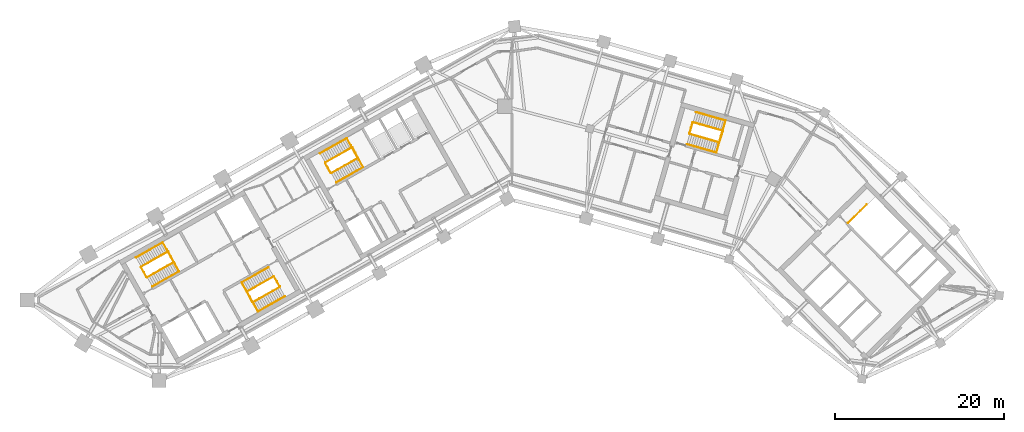
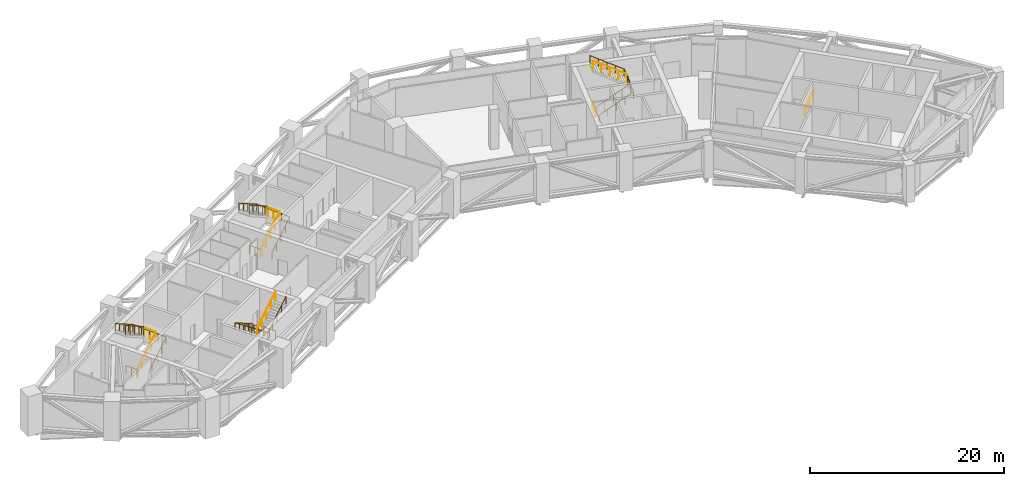
# One storey, part 15 of 16: 17 railings.
"""IFC4 building model written with IfcOpenShell, lengths in metres."""

from ifc_helpers import new_model, si_unit, direction, frame, origin, origin_2d, place, context, subcontext, project, spatial, circle, extrude, material, type_object, element, save


model = new_model("IFC4")

# Units and contexts
model_context = context("Model", 3, precision=1e-05, world=origin(), true_north=direction((0.0, 1.0)))
body_context = subcontext(model_context, "Body", "Model", "MODEL_VIEW")
ifc_project = project(units=[si_unit("LENGTHUNIT", "METRE"), si_unit("AREAUNIT", "SQUARE_METRE"), si_unit("VOLUMEUNIT", "CUBIC_METRE"), si_unit("PLANEANGLEUNIT", "RADIAN"), si_unit("MASSUNIT", "GRAM", prefix="KILO")], contexts=[model_context])

# Site, building, storey
site_placement = place(None, origin())
site = spatial("IfcSite", under=ifc_project, at=site_placement, CompositionType="ELEMENT")
building_placement = place(site_placement, origin())
building = spatial("IfcBuilding", under=site, at=building_placement, Name="Binnacle Exchange Tower", CompositionType="ELEMENT")
storey_placement = place(building_placement, frame((0.0, 0.0, 149.89990234375)))
storey = spatial("IfcBuildingStorey", under=building, at=storey_placement, Name="L31", CompositionType="ELEMENT", Elevation=149.89990234375)

# Railings
ifc_material_1 = material(Name="Steel guard rail", Category="steel")
railing_type_1 = type_object("IfcRailingType", Name="STAIR GUARD 1100", PredefinedType="GUARDRAIL", material=ifc_material_1)
railing_1_placement = place(storey_placement, frame((-43.26171875, 39.71728515625, 0.1787109375)))
element("IfcRailing", 1, at=railing_1_placement, inside=storey, type_object=railing_type_1, Name="L31 STA1 stair guard 1", PredefinedType="GUARDRAIL", context=body_context, shape_type="SweptSolid", body=[
    extrude(circle(Radius=0.02392578125, at=origin_2d()), frame((0.0, 0.0, 1.076171875), z_axis=(0.733817868035, 0.415204283841, 0.537695768286), x_axis=(-0.492450612189, 0.870340390052, 0.0)), (0.0, 0.0, 1.0), 4.317138671875),
    extrude(circle(Radius=0.02392578125, at=origin_2d()), frame((3.16796875, 1.79248046875, 3.3974609375), z_axis=(-0.460963092712, 0.887419307406, 0.0), x_axis=(-0.887419307406, -0.460963092712, 0.0)), (0.0, 0.0, 1.0), 1.40087890625),
    extrude(circle(Radius=0.02099609375, at=origin_2d()), origin(), (0.0, 0.0, 1.0), 1.052001953125),
    extrude(circle(Radius=0.02099609375, at=origin_2d()), frame((0.7919921875, 0.4482421875, 0.580322265625)), (0.0, 0.0, 1.0), 1.052001953125),
    extrude(circle(Radius=0.02099609375, at=origin_2d()), frame((1.583984375, 0.896240234375, 1.16064453125)), (0.0, 0.0, 1.0), 1.052001953125),
    extrude(circle(Radius=0.02099609375, at=origin_2d()), frame((2.3759765625, 1.34423828125, 1.740966796875)), (0.0, 0.0, 1.0), 1.052001953125),
    extrude(circle(Radius=0.02099609375, at=origin_2d()), frame((3.16796875, 1.79248046875, 2.3212890625)), (0.0, 0.0, 1.0), 1.052001953125),
    extrude(circle(Radius=0.02099609375, at=origin_2d()), frame((2.84521484375, 2.4140625, 2.3212890625)), (0.0, 0.0, 1.0), 1.052001953125),
    extrude(circle(Radius=0.02099609375, at=origin_2d()), frame((2.522216796875, 3.03564453125, 2.3212890625)), (0.0, 0.0, 1.0), 1.052001953125),
])
railing_2_placement = place(storey_placement, frame((-40.8076171875, 42.771728515625, 2.6787109375)))
element("IfcRailing", 2, at=railing_2_placement, inside=storey, type_object=railing_type_1, Name="L31 STA1 stair guard 2", PredefinedType="GUARDRAIL", context=body_context, shape_type="SweptSolid", body=[
    extrude(circle(Radius=0.02392578125, at=origin_2d()), frame((0.0, 0.0, 1.076171875), z_axis=(-0.733843965768, -0.415187053762, 0.537673455076), x_axis=(0.492421866095, -0.870356654361, 0.0)), (0.0, 0.0, 1.0), 4.3173828125),
    extrude(circle(Radius=0.02099609375, at=origin_2d()), origin(), (0.0, 0.0, 1.0), 1.052001953125),
    extrude(circle(Radius=0.02099609375, at=origin_2d()), frame((-0.7919921875, -0.4482421875, 0.580322265625)), (0.0, 0.0, 1.0), 1.052001953125),
    extrude(circle(Radius=0.02099609375, at=origin_2d()), frame((-1.583984375, -0.896240234375, 1.16064453125)), (0.0, 0.0, 1.0), 1.052001953125),
    extrude(circle(Radius=0.02099609375, at=origin_2d()), frame((-2.376220703125, -1.34423828125, 1.740966796875)), (0.0, 0.0, 1.0), 1.052001953125),
    extrude(circle(Radius=0.02099609375, at=origin_2d()), frame((-3.168212890625, -1.79248046875, 2.3212890625)), (0.0, 0.0, 1.0), 1.052001953125),
])
railing_3_placement = place(storey_placement, frame((-43.329833984375, 39.736328125, 0.0)))
element("IfcRailing", 3, at=railing_3_placement, inside=storey, type_object=railing_type_1, Name="L31 STA1 stair guard 3", PredefinedType="GUARDRAIL", context=body_context, shape_type="SweptSolid", body=[
    extrude(circle(Radius=0.02392578125, at=origin_2d()), frame((0.0, 0.0, 1.076171875), z_axis=(-0.4924922531, 0.870316827734, 0.0), x_axis=(-0.870316827734, -0.4924922531, 0.0)), (0.0, 0.0, 1.0), 1.349853515625),
    extrude(circle(Radius=0.02099609375, at=origin_2d()), origin(), (0.0, 0.0, 1.0), 1.052001953125),
    extrude(circle(Radius=0.02099609375, at=origin_2d()), frame((-0.33251953125, 0.58740234375, 0.0)), (0.0, 0.0, 1.0), 1.052001953125),
    extrude(circle(Radius=0.02099609375, at=origin_2d()), frame((-0.664794921875, 1.1748046875, 0.0)), (0.0, 0.0, 1.0), 1.052001953125),
])
railing_4_placement = place(storey_placement, frame((-28.265380859375, 39.814453125, 0.1787109375)))
element("IfcRailing", 4, at=railing_4_placement, inside=storey, type_object=railing_type_1, Name="L31 STA2 stair guard 1", PredefinedType="GUARDRAIL", context=body_context, shape_type="SweptSolid", body=[
    extrude(circle(Radius=0.02392578125, at=origin_2d()), frame((0.0, 0.0, 1.076171875), z_axis=(-0.733843965768, -0.415187053762, 0.537673455076), x_axis=(0.492421866095, -0.870356654361, 0.0)), (0.0, 0.0, 1.0), 4.3173828125),
    extrude(circle(Radius=0.02392578125, at=origin_2d()), frame((-3.168212890625, -1.79248046875, 3.3974609375), z_axis=(0.461100321709, -0.887348011391, 0.0), x_axis=(0.887348011391, 0.461100321709, 0.0)), (0.0, 0.0, 1.0), 1.40087890625),
    extrude(circle(Radius=0.02099609375, at=origin_2d()), origin(), (0.0, 0.0, 1.0), 1.052001953125),
    extrude(circle(Radius=0.02099609375, at=origin_2d()), frame((-0.7919921875, -0.4482421875, 0.580322265625)), (0.0, 0.0, 1.0), 1.052001953125),
    extrude(circle(Radius=0.02099609375, at=origin_2d()), frame((-1.583984375, -0.896240234375, 1.16064453125)), (0.0, 0.0, 1.0), 1.052001953125),
    extrude(circle(Radius=0.02099609375, at=origin_2d()), frame((-2.376220703125, -1.34423828125, 1.740966796875)), (0.0, 0.0, 1.0), 1.052001953125),
    extrude(circle(Radius=0.02099609375, at=origin_2d()), frame((-3.168212890625, -1.79248046875, 2.3212890625)), (0.0, 0.0, 1.0), 1.052001953125),
    extrude(circle(Radius=0.02099609375, at=origin_2d()), frame((-2.84521484375, -2.4140625, 2.3212890625)), (0.0, 0.0, 1.0), 1.052001953125),
    extrude(circle(Radius=0.02099609375, at=origin_2d()), frame((-2.522216796875, -3.03564453125, 2.3212890625)), (0.0, 0.0, 1.0), 1.052001953125),
])
railing_5_placement = place(storey_placement, frame((-30.719482421875, 36.760009765625, 2.6787109375)))
element("IfcRailing", 5, at=railing_5_placement, inside=storey, type_object=railing_type_1, Name="L31 STA2 stair guard 2", PredefinedType="GUARDRAIL", context=body_context, shape_type="SweptSolid", body=[
    extrude(circle(Radius=0.02392578125, at=origin_2d()), frame((0.0, 0.0, 1.076171875), z_axis=(0.733817868035, 0.415204283841, 0.537695768286), x_axis=(-0.492450612189, 0.870340390052, 0.0)), (0.0, 0.0, 1.0), 4.317138671875),
    extrude(circle(Radius=0.02099609375, at=origin_2d()), origin(), (0.0, 0.0, 1.0), 1.052001953125),
    extrude(circle(Radius=0.02099609375, at=origin_2d()), frame((0.7919921875, 0.4482421875, 0.580322265625)), (0.0, 0.0, 1.0), 1.052001953125),
    extrude(circle(Radius=0.02099609375, at=origin_2d()), frame((1.583984375, 0.896240234375, 1.16064453125)), (0.0, 0.0, 1.0), 1.052001953125),
    extrude(circle(Radius=0.02099609375, at=origin_2d()), frame((2.3759765625, 1.34423828125, 1.740966796875)), (0.0, 0.0, 1.0), 1.052001953125),
    extrude(circle(Radius=0.02099609375, at=origin_2d()), frame((3.16796875, 1.79248046875, 2.3212890625)), (0.0, 0.0, 1.0), 1.052001953125),
])
railing_6_placement = place(storey_placement, frame((-28.197265625, 39.795654296875, 0.0)))
element("IfcRailing", 6, at=railing_6_placement, inside=storey, type_object=railing_type_1, Name="L31 STA2 stair guard 3", PredefinedType="GUARDRAIL", context=body_context, shape_type="SweptSolid", body=[
    extrude(circle(Radius=0.02392578125, at=origin_2d()), frame((0.0, 0.0, 1.076171875), z_axis=(0.49241474071, -0.870360685654, 0.0), x_axis=(0.870360685654, 0.49241474071, 0.0)), (0.0, 0.0, 1.0), 1.35009765625),
    extrude(circle(Radius=0.02099609375, at=origin_2d()), origin(), (0.0, 0.0, 1.0), 1.052001953125),
    extrude(circle(Radius=0.02099609375, at=origin_2d()), frame((0.33251953125, -0.58740234375, 0.0)), (0.0, 0.0, 1.0), 1.052001953125),
    extrude(circle(Radius=0.02099609375, at=origin_2d()), frame((0.664794921875, -1.175048828125, 0.0)), (0.0, 0.0, 1.0), 1.052001953125),
])
railing_7_placement = place(storey_placement, frame((39.8603515625, 46.17138671875, 0.0)))
element("IfcRailing", 7, at=railing_7_placement, inside=storey, type_object=railing_type_1, Name="L31 STB1 top well guard 1", PredefinedType="GUARDRAIL", context=body_context, shape_type="SweptSolid", body=[
    extrude(circle(Radius=0.02392578125, at=origin_2d()), frame((0.0, 0.0, 1.076171875), z_axis=(0.713262514027, 0.700896986785, 0.0), x_axis=(-0.700896986785, 0.713262514027, 0.0)), (0.0, 0.0, 1.0), 3.099853515625),
    extrude(circle(Radius=0.02099609375, at=origin_2d()), origin(), (0.0, 0.0, 1.0), 1.052001953125),
    extrude(circle(Radius=0.02099609375, at=origin_2d()), frame((0.737060546875, 0.72412109375, 0.0)), (0.0, 0.0, 1.0), 1.052001953125),
    extrude(circle(Radius=0.02099609375, at=origin_2d()), frame((1.473876953125, 1.448486328125, 0.0)), (0.0, 0.0, 1.0), 1.052001953125),
    extrude(circle(Radius=0.02099609375, at=origin_2d()), frame((2.2109375, 2.172607421875, 0.0)), (0.0, 0.0, 1.0), 1.052001953125),
])
railing_8_placement = place(storey_placement, frame((-21.423828125, 52.07275390625, 0.1787109375)))
element("IfcRailing", 8, at=railing_8_placement, inside=storey, type_object=railing_type_1, Name="L31 STC1 stair guard 1", PredefinedType="GUARDRAIL", context=body_context, shape_type="SweptSolid", body=[
    extrude(circle(Radius=0.02392578125, at=origin_2d()), frame((0.0, 0.0, 1.076171875), z_axis=(0.733861194871, 0.415140250563, 0.537686078511), x_axis=(-0.492371057291, 0.870385398511, 0.0)), (0.0, 0.0, 1.0), 4.317138671875),
    extrude(circle(Radius=0.02392578125, at=origin_2d()), frame((3.168212890625, 1.792236328125, 3.3974609375), z_axis=(-0.461100321709, 0.887348011391, 0.0), x_axis=(-0.887348011391, -0.461100321709, 0.0)), (0.0, 0.0, 1.0), 1.40087890625),
    extrude(circle(Radius=0.02099609375, at=origin_2d()), origin(), (0.0, 0.0, 1.0), 1.052001953125),
    extrude(circle(Radius=0.02099609375, at=origin_2d()), frame((0.7919921875, 0.447998046875, 0.580322265625)), (0.0, 0.0, 1.0), 1.052001953125),
    extrude(circle(Radius=0.02099609375, at=origin_2d()), frame((1.583984375, 0.89599609375, 1.16064453125)), (0.0, 0.0, 1.0), 1.052001953125),
    extrude(circle(Radius=0.02099609375, at=origin_2d()), frame((2.376220703125, 1.34423828125, 1.740966796875)), (0.0, 0.0, 1.0), 1.052001953125),
    extrude(circle(Radius=0.02099609375, at=origin_2d()), frame((3.168212890625, 1.792236328125, 2.3212890625)), (0.0, 0.0, 1.0), 1.052001953125),
    extrude(circle(Radius=0.02099609375, at=origin_2d()), frame((2.84521484375, 2.413818359375, 2.3212890625)), (0.0, 0.0, 1.0), 1.052001953125),
    extrude(circle(Radius=0.02099609375, at=origin_2d()), frame((2.522216796875, 3.035400390625, 2.3212890625)), (0.0, 0.0, 1.0), 1.052001953125),
])
railing_9_placement = place(storey_placement, frame((-18.9697265625, 55.126953125, 2.6787109375)))
element("IfcRailing", 9, at=railing_9_placement, inside=storey, type_object=railing_type_1, Name="L31 STC1 stair guard 2", PredefinedType="GUARDRAIL", context=body_context, shape_type="SweptSolid", body=[
    extrude(circle(Radius=0.02392578125, at=origin_2d()), frame((0.0, 0.0, 1.076171875), z_axis=(-0.733835097956, -0.415157479508, 0.537708393292), x_axis=(0.492399802317, -0.870369137021, 0.0)), (0.0, 0.0, 1.0), 4.31689453125),
    extrude(circle(Radius=0.02099609375, at=origin_2d()), origin(), (0.0, 0.0, 1.0), 1.052001953125),
    extrude(circle(Radius=0.02099609375, at=origin_2d()), frame((-0.7919921875, -0.447998046875, 0.580322265625)), (0.0, 0.0, 1.0), 1.052001953125),
    extrude(circle(Radius=0.02099609375, at=origin_2d()), frame((-1.583984375, -0.89599609375, 1.16064453125)), (0.0, 0.0, 1.0), 1.052001953125),
    extrude(circle(Radius=0.02099609375, at=origin_2d()), frame((-2.3759765625, -1.34423828125, 1.740966796875)), (0.0, 0.0, 1.0), 1.052001953125),
    extrude(circle(Radius=0.02099609375, at=origin_2d()), frame((-3.16796875, -1.792236328125, 2.3212890625)), (0.0, 0.0, 1.0), 1.052001953125),
])
railing_10_placement = place(storey_placement, frame((-21.491943359375, 52.091552734375, 0.0)))
element("IfcRailing", 10, at=railing_10_placement, inside=storey, type_object=railing_type_1, Name="L31 STC1 stair guard 3", PredefinedType="GUARDRAIL", context=body_context, shape_type="SweptSolid", body=[
    extrude(circle(Radius=0.02392578125, at=origin_2d()), frame((0.0, 0.0, 1.076171875), z_axis=(-0.49241474071, 0.870360685654, 0.0), x_axis=(-0.870360685654, -0.49241474071, 0.0)), (0.0, 0.0, 1.0), 1.35009765625),
    extrude(circle(Radius=0.02099609375, at=origin_2d()), origin(), (0.0, 0.0, 1.0), 1.052001953125),
    extrude(circle(Radius=0.02099609375, at=origin_2d()), frame((-0.33251953125, 0.58740234375, 0.0)), (0.0, 0.0, 1.0), 1.052001953125),
    extrude(circle(Radius=0.02099609375, at=origin_2d()), frame((-0.664794921875, 1.175048828125, 0.0)), (0.0, 0.0, 1.0), 1.052001953125),
])
railing_11_placement = place(storey_placement, frame((21.086669921875, 56.71044921875, 0.1787109375)))
element("IfcRailing", 11, at=railing_11_placement, inside=storey, type_object=railing_type_1, Name="L31 STD1 stair guard 1", PredefinedType="GUARDRAIL", context=body_context, shape_type="SweptSolid", body=[
    extrude(circle(Radius=0.02392578125, at=origin_2d()), frame((0.0, 0.0, 1.076171875), z_axis=(0.810480535764, -0.232422202204, 0.537681337848), x_axis=(0.275659984683, 0.961255206927, 0.0)), (0.0, 0.0, 1.0), 4.317138671875),
    extrude(circle(Radius=0.02392578125, at=origin_2d()), frame((3.4990234375, -1.00341796875, 3.3974609375), z_axis=(0.309684985722, 0.950839213337, 0.0), x_axis=(-0.950839213337, 0.309684985722, 0.0)), (0.0, 0.0, 1.0), 1.40087890625),
    extrude(circle(Radius=0.02099609375, at=origin_2d()), origin(), (0.0, 0.0, 1.0), 1.052001953125),
    extrude(circle(Radius=0.02099609375, at=origin_2d()), frame((0.874755859375, -0.2509765625, 0.580322265625)), (0.0, 0.0, 1.0), 1.052001953125),
    extrude(circle(Radius=0.02099609375, at=origin_2d()), frame((1.74951171875, -0.501708984375, 1.16064453125)), (0.0, 0.0, 1.0), 1.052001953125),
    extrude(circle(Radius=0.02099609375, at=origin_2d()), frame((2.624267578125, -0.75244140625, 1.740966796875)), (0.0, 0.0, 1.0), 1.052001953125),
    extrude(circle(Radius=0.02099609375, at=origin_2d()), frame((3.4990234375, -1.00341796875, 2.3212890625)), (0.0, 0.0, 1.0), 1.052001953125),
    extrude(circle(Radius=0.02099609375, at=origin_2d()), frame((3.7158203125, -0.33740234375, 2.3212890625)), (0.0, 0.0, 1.0), 1.052001953125),
    extrude(circle(Radius=0.02099609375, at=origin_2d()), frame((3.932861328125, 0.32861328125, 2.3212890625)), (0.0, 0.0, 1.0), 1.052001953125),
])
railing_12_placement = place(storey_placement, frame((24.9853515625, 57.100830078125, 2.6787109375)))
element("IfcRailing", 12, at=railing_12_placement, inside=storey, type_object=railing_type_1, Name="L31 STD1 stair guard 2", PredefinedType="GUARDRAIL", context=body_context, shape_type="SweptSolid", body=[
    extrude(circle(Radius=0.02392578125, at=origin_2d()), frame((0.0, 0.0, 1.076171875), z_axis=(-0.810480535764, 0.232422202204, 0.537681337848), x_axis=(-0.275659984683, -0.961255206927, 0.0)), (0.0, 0.0, 1.0), 4.317138671875),
    extrude(circle(Radius=0.02099609375, at=origin_2d()), origin(), (0.0, 0.0, 1.0), 1.052001953125),
    extrude(circle(Radius=0.02099609375, at=origin_2d()), frame((-0.874755859375, 0.2509765625, 0.580322265625)), (0.0, 0.0, 1.0), 1.052001953125),
    extrude(circle(Radius=0.02099609375, at=origin_2d()), frame((-1.74951171875, 0.501708984375, 1.16064453125)), (0.0, 0.0, 1.0), 1.052001953125),
    extrude(circle(Radius=0.02099609375, at=origin_2d()), frame((-2.624267578125, 0.75244140625, 1.740966796875)), (0.0, 0.0, 1.0), 1.052001953125),
    extrude(circle(Radius=0.02099609375, at=origin_2d()), frame((-3.4990234375, 1.00341796875, 2.3212890625)), (0.0, 0.0, 1.0), 1.052001953125),
])
railing_13_placement = place(storey_placement, frame((21.05224609375, 56.772216796875, 0.0)))
element("IfcRailing", 13, at=railing_13_placement, inside=storey, type_object=railing_type_1, Name="L31 STD1 stair guard 3", PredefinedType="GUARDRAIL", context=body_context, shape_type="SweptSolid", body=[
    extrude(circle(Radius=0.02392578125, at=origin_2d()), frame((0.0, 0.0, 1.076171875), z_axis=(0.275795817769, 0.961216243569, 0.0), x_axis=(-0.961216243569, 0.275795817769, 0.0)), (0.0, 0.0, 1.0), 1.349853515625),
    extrude(circle(Radius=0.02099609375, at=origin_2d()), origin(), (0.0, 0.0, 1.0), 1.052001953125),
    extrude(circle(Radius=0.02099609375, at=origin_2d()), frame((0.18603515625, 0.64892578125, 0.0)), (0.0, 0.0, 1.0), 1.052001953125),
    extrude(circle(Radius=0.02099609375, at=origin_2d()), frame((0.372314453125, 1.297607421875, 0.0)), (0.0, 0.0, 1.0), 1.052001953125),
])
ifc_material_2 = material(Name="Steel handrail", Category="steel")
railing_type_2 = type_object("IfcRailingType", Name="STAIR HANDRAIL 900", PredefinedType="HANDRAIL", material=ifc_material_2)
railing_14_placement = place(storey_placement, frame((-42.646240234375, 38.62939453125, 0.1787109375)))
element("IfcRailing", 14, at=railing_14_placement, inside=storey, type_object=railing_type_2, Name="L31 STA1 stair handrail 1", PredefinedType="HANDRAIL", context=body_context, shape_type="SweptSolid", body=[
    extrude(circle(Radius=0.02392578125, at=origin_2d()), frame((0.0, 0.0, 0.8759765625), z_axis=(0.733843965768, 0.415187053762, 0.537673455076), x_axis=(-0.492421866095, 0.870356654361, 0.0)), (0.0, 0.0, 1.0), 4.3173828125),
    extrude(circle(Radius=0.02392578125, at=origin_2d()), frame((3.168212890625, 1.79248046875, 3.197265625), z_axis=(-0.491983649099, 0.869430442139, 0.045197293065), x_axis=(-0.870319839224, -0.492486931251, 0.0)), (0.0, 0.0, 1.0), 3.9541015625),
    extrude(circle(Radius=0.02392578125, at=origin_2d()), frame((1.222900390625, 5.230224609375, 3.3759765625), z_axis=(-0.733835097956, -0.415157479508, 0.537708393292), x_axis=(0.492399802317, -0.870369137021, 0.0)), (0.0, 0.0, 1.0), 4.31689453125),
    extrude(circle(Radius=0.02099609375, at=origin_2d()), origin(), (0.0, 0.0, 1.0), 0.851806640625),
    extrude(circle(Radius=0.02099609375, at=origin_2d()), frame((0.7919921875, 0.4482421875, 0.580322265625)), (0.0, 0.0, 1.0), 0.851806640625),
    extrude(circle(Radius=0.02099609375, at=origin_2d()), frame((1.583984375, 0.896240234375, 1.16064453125)), (0.0, 0.0, 1.0), 0.851806640625),
    extrude(circle(Radius=0.02099609375, at=origin_2d()), frame((2.376220703125, 1.34423828125, 1.740966796875)), (0.0, 0.0, 1.0), 0.851806640625),
    extrude(circle(Radius=0.02099609375, at=origin_2d()), frame((3.168212890625, 1.79248046875, 2.3212890625)), (0.0, 0.0, 1.0), 0.851806640625),
    extrude(circle(Radius=0.02099609375, at=origin_2d()), frame((2.681884765625, 2.65185546875, 2.365966796875)), (0.0, 0.0, 1.0), 0.851806640625),
    extrude(circle(Radius=0.02099609375, at=origin_2d()), frame((2.195556640625, 3.51123046875, 2.41064453125)), (0.0, 0.0, 1.0), 0.851806640625),
    extrude(circle(Radius=0.02099609375, at=origin_2d()), frame((1.709228515625, 4.370849609375, 2.455322265625)), (0.0, 0.0, 1.0), 0.851806640625),
    extrude(circle(Radius=0.02099609375, at=origin_2d()), frame((1.222900390625, 5.230224609375, 2.5)), (0.0, 0.0, 1.0), 0.851806640625),
    extrude(circle(Radius=0.02099609375, at=origin_2d()), frame((0.430908203125, 4.7822265625, 3.080322265625)), (0.0, 0.0, 1.0), 0.851806640625),
    extrude(circle(Radius=0.02099609375, at=origin_2d()), frame((-0.361083984375, 4.333984375, 3.66064453125)), (0.0, 0.0, 1.0), 0.851806640625),
    extrude(circle(Radius=0.02099609375, at=origin_2d()), frame((-1.153076171875, 3.885986328125, 4.240966796875)), (0.0, 0.0, 1.0), 0.851806640625),
    extrude(circle(Radius=0.02099609375, at=origin_2d()), frame((-1.945068359375, 3.43798828125, 4.8212890625)), (0.0, 0.0, 1.0), 0.851806640625),
])
railing_15_placement = place(storey_placement, frame((-28.880859375, 40.90234375, 0.1787109375)))
element("IfcRailing", 15, at=railing_15_placement, inside=storey, type_object=railing_type_2, Name="L31 STA2 stair handrail 1", PredefinedType="HANDRAIL", context=body_context, shape_type="SweptSolid", body=[
    extrude(circle(Radius=0.02392578125, at=origin_2d()), frame((0.0, 0.0, 0.8759765625), z_axis=(-0.733861194871, -0.415140250563, 0.537686078511), x_axis=(0.492371057291, -0.870385398511, 0.0)), (0.0, 0.0, 1.0), 4.317138671875),
    extrude(circle(Radius=0.02392578125, at=origin_2d()), frame((-3.168212890625, -1.792236328125, 3.197265625), z_axis=(0.491910438238, -0.869471920581, 0.045196239587), x_axis=(0.870361318571, 0.492413622004, 0.0)), (0.0, 0.0, 1.0), 3.9541015625),
    extrude(circle(Radius=0.02392578125, at=origin_2d()), frame((-1.22314453125, -5.230224609375, 3.3759765625), z_axis=(0.733843965768, 0.415187053762, 0.537673455076), x_axis=(-0.492421866095, 0.870356654361, 0.0)), (0.0, 0.0, 1.0), 4.3173828125),
    extrude(circle(Radius=0.02099609375, at=origin_2d()), origin(), (0.0, 0.0, 1.0), 0.851806640625),
    extrude(circle(Radius=0.02099609375, at=origin_2d()), frame((-0.7919921875, -0.447998046875, 0.580322265625)), (0.0, 0.0, 1.0), 0.851806640625),
    extrude(circle(Radius=0.02099609375, at=origin_2d()), frame((-1.583984375, -0.89599609375, 1.16064453125)), (0.0, 0.0, 1.0), 0.851806640625),
    extrude(circle(Radius=0.02099609375, at=origin_2d()), frame((-2.376220703125, -1.34423828125, 1.740966796875)), (0.0, 0.0, 1.0), 0.851806640625),
    extrude(circle(Radius=0.02099609375, at=origin_2d()), frame((-3.168212890625, -1.792236328125, 2.3212890625)), (0.0, 0.0, 1.0), 0.851806640625),
    extrude(circle(Radius=0.02099609375, at=origin_2d()), frame((-2.681884765625, -2.65185546875, 2.365966796875)), (0.0, 0.0, 1.0), 0.851806640625),
    extrude(circle(Radius=0.02099609375, at=origin_2d()), frame((-2.19580078125, -3.51123046875, 2.41064453125)), (0.0, 0.0, 1.0), 0.851806640625),
    extrude(circle(Radius=0.02099609375, at=origin_2d()), frame((-1.70947265625, -4.37060546875, 2.455322265625)), (0.0, 0.0, 1.0), 0.851806640625),
    extrude(circle(Radius=0.02099609375, at=origin_2d()), frame((-1.22314453125, -5.230224609375, 2.5)), (0.0, 0.0, 1.0), 0.851806640625),
    extrude(circle(Radius=0.02099609375, at=origin_2d()), frame((-0.43115234375, -4.7822265625, 3.080322265625)), (0.0, 0.0, 1.0), 0.851806640625),
    extrude(circle(Radius=0.02099609375, at=origin_2d()), frame((0.36083984375, -4.333984375, 3.66064453125)), (0.0, 0.0, 1.0), 0.851806640625),
    extrude(circle(Radius=0.02099609375, at=origin_2d()), frame((1.153076171875, -3.8857421875, 4.240966796875)), (0.0, 0.0, 1.0), 0.851806640625),
    extrude(circle(Radius=0.02099609375, at=origin_2d()), frame((1.945068359375, -3.437744140625, 4.8212890625)), (0.0, 0.0, 1.0), 0.851806640625),
])
railing_16_placement = place(storey_placement, frame((-20.808349609375, 50.984619140625, 0.1787109375)))
element("IfcRailing", 16, at=railing_16_placement, inside=storey, type_object=railing_type_2, Name="L31 STC1 stair handrail 1", PredefinedType="HANDRAIL", context=body_context, shape_type="SweptSolid", body=[
    extrude(circle(Radius=0.02392578125, at=origin_2d()), frame((0.0, 0.0, 0.8759765625), z_axis=(0.733843965768, 0.415187053762, 0.537673455076), x_axis=(-0.492421866095, 0.870356654361, 0.0)), (0.0, 0.0, 1.0), 4.3173828125),
    extrude(circle(Radius=0.02392578125, at=origin_2d()), frame((3.168212890625, 1.79248046875, 3.197265625), z_axis=(-0.491910438238, 0.869471920581, 0.045196239587), x_axis=(-0.870361318571, -0.492413622004, 0.0)), (0.0, 0.0, 1.0), 3.9541015625),
    extrude(circle(Radius=0.02392578125, at=origin_2d()), frame((1.22314453125, 5.23046875, 3.3759765625), z_axis=(-0.733843965768, -0.415187053762, 0.537673455076), x_axis=(0.492421866095, -0.870356654361, 0.0)), (0.0, 0.0, 1.0), 4.3173828125),
    extrude(circle(Radius=0.02099609375, at=origin_2d()), origin(), (0.0, 0.0, 1.0), 0.851806640625),
    extrude(circle(Radius=0.02099609375, at=origin_2d()), frame((0.7919921875, 0.4482421875, 0.580322265625)), (0.0, 0.0, 1.0), 0.851806640625),
    extrude(circle(Radius=0.02099609375, at=origin_2d()), frame((1.583984375, 0.896240234375, 1.16064453125)), (0.0, 0.0, 1.0), 0.851806640625),
    extrude(circle(Radius=0.02099609375, at=origin_2d()), frame((2.376220703125, 1.34423828125, 1.740966796875)), (0.0, 0.0, 1.0), 0.851806640625),
    extrude(circle(Radius=0.02099609375, at=origin_2d()), frame((3.168212890625, 1.79248046875, 2.3212890625)), (0.0, 0.0, 1.0), 0.851806640625),
    extrude(circle(Radius=0.02099609375, at=origin_2d()), frame((2.681884765625, 2.65185546875, 2.365966796875)), (0.0, 0.0, 1.0), 0.851806640625),
    extrude(circle(Radius=0.02099609375, at=origin_2d()), frame((2.19580078125, 3.511474609375, 2.41064453125)), (0.0, 0.0, 1.0), 0.851806640625),
    extrude(circle(Radius=0.02099609375, at=origin_2d()), frame((1.70947265625, 4.37109375, 2.455322265625)), (0.0, 0.0, 1.0), 0.851806640625),
    extrude(circle(Radius=0.02099609375, at=origin_2d()), frame((1.22314453125, 5.23046875, 2.5)), (0.0, 0.0, 1.0), 0.851806640625),
    extrude(circle(Radius=0.02099609375, at=origin_2d()), frame((0.43115234375, 4.7822265625, 3.080322265625)), (0.0, 0.0, 1.0), 0.851806640625),
    extrude(circle(Radius=0.02099609375, at=origin_2d()), frame((-0.36083984375, 4.334228515625, 3.66064453125)), (0.0, 0.0, 1.0), 0.851806640625),
    extrude(circle(Radius=0.02099609375, at=origin_2d()), frame((-1.153076171875, 3.88623046875, 4.240966796875)), (0.0, 0.0, 1.0), 0.851806640625),
    extrude(circle(Radius=0.02099609375, at=origin_2d()), frame((-1.945068359375, 3.43798828125, 4.8212890625)), (0.0, 0.0, 1.0), 0.851806640625),
])
railing_17_placement = place(storey_placement, frame((20.7421875, 55.5087890625, 0.1787109375)))
element("IfcRailing", 17, at=railing_17_placement, inside=storey, type_object=railing_type_2, Name="L31 STD1 stair handrail 1", PredefinedType="HANDRAIL", context=body_context, shape_type="SweptSolid", body=[
    extrude(circle(Radius=0.02392578125, at=origin_2d()), frame((0.0, 0.0, 0.8759765625), z_axis=(0.810461130778, -0.232432855174, 0.537705982237), x_axis=(0.27567775811, 0.961250109848, 0.0)), (0.0, 0.0, 1.0), 4.317138671875),
    extrude(circle(Radius=0.02392578125, at=origin_2d()), frame((3.498779296875, -1.00341796875, 3.197265625), z_axis=(0.275369908732, 0.960275379039, 0.045195240626), x_axis=(-0.961257617982, 0.275651576943, 0.0)), (0.0, 0.0, 1.0), 3.9541015625),
    extrude(circle(Radius=0.02392578125, at=origin_2d()), frame((4.587646484375, 2.793701171875, 3.3759765625), z_axis=(-0.810491187287, 0.232368705593, 0.537688404181), x_axis=(-0.275598008994, -0.961272977587, 0.0)), (0.0, 0.0, 1.0), 4.317138671875),
    extrude(circle(Radius=0.02099609375, at=origin_2d()), origin(), (0.0, 0.0, 1.0), 0.851806640625),
    extrude(circle(Radius=0.02099609375, at=origin_2d()), frame((0.874755859375, -0.2509765625, 0.580322265625)), (0.0, 0.0, 1.0), 0.851806640625),
    extrude(circle(Radius=0.02099609375, at=origin_2d()), frame((1.74951171875, -0.501708984375, 1.16064453125)), (0.0, 0.0, 1.0), 0.851806640625),
    extrude(circle(Radius=0.02099609375, at=origin_2d()), frame((2.6240234375, -0.75244140625, 1.740966796875)), (0.0, 0.0, 1.0), 0.851806640625),
    extrude(circle(Radius=0.02099609375, at=origin_2d()), frame((3.498779296875, -1.00341796875, 2.3212890625)), (0.0, 0.0, 1.0), 0.851806640625),
    extrude(circle(Radius=0.02099609375, at=origin_2d()), frame((3.77099609375, -0.05419921875, 2.365966796875)), (0.0, 0.0, 1.0), 0.851806640625),
    extrude(circle(Radius=0.02099609375, at=origin_2d()), frame((4.043212890625, 0.89501953125, 2.41064453125)), (0.0, 0.0, 1.0), 0.851806640625),
    extrude(circle(Radius=0.02099609375, at=origin_2d()), frame((4.3154296875, 1.844482421875, 2.455322265625)), (0.0, 0.0, 1.0), 0.851806640625),
    extrude(circle(Radius=0.02099609375, at=origin_2d()), frame((4.587646484375, 2.793701171875, 2.5)), (0.0, 0.0, 1.0), 0.851806640625),
    extrude(circle(Radius=0.02099609375, at=origin_2d()), frame((3.712890625, 3.04443359375, 3.080322265625)), (0.0, 0.0, 1.0), 0.851806640625),
    extrude(circle(Radius=0.02099609375, at=origin_2d()), frame((2.838134765625, 3.29541015625, 3.66064453125)), (0.0, 0.0, 1.0), 0.851806640625),
    extrude(circle(Radius=0.02099609375, at=origin_2d()), frame((1.96337890625, 3.546142578125, 4.240966796875)), (0.0, 0.0, 1.0), 0.851806640625),
    extrude(circle(Radius=0.02099609375, at=origin_2d()), frame((1.088623046875, 3.796875, 4.8212890625)), (0.0, 0.0, 1.0), 0.851806640625),
])

save(model, "model.ifc")
